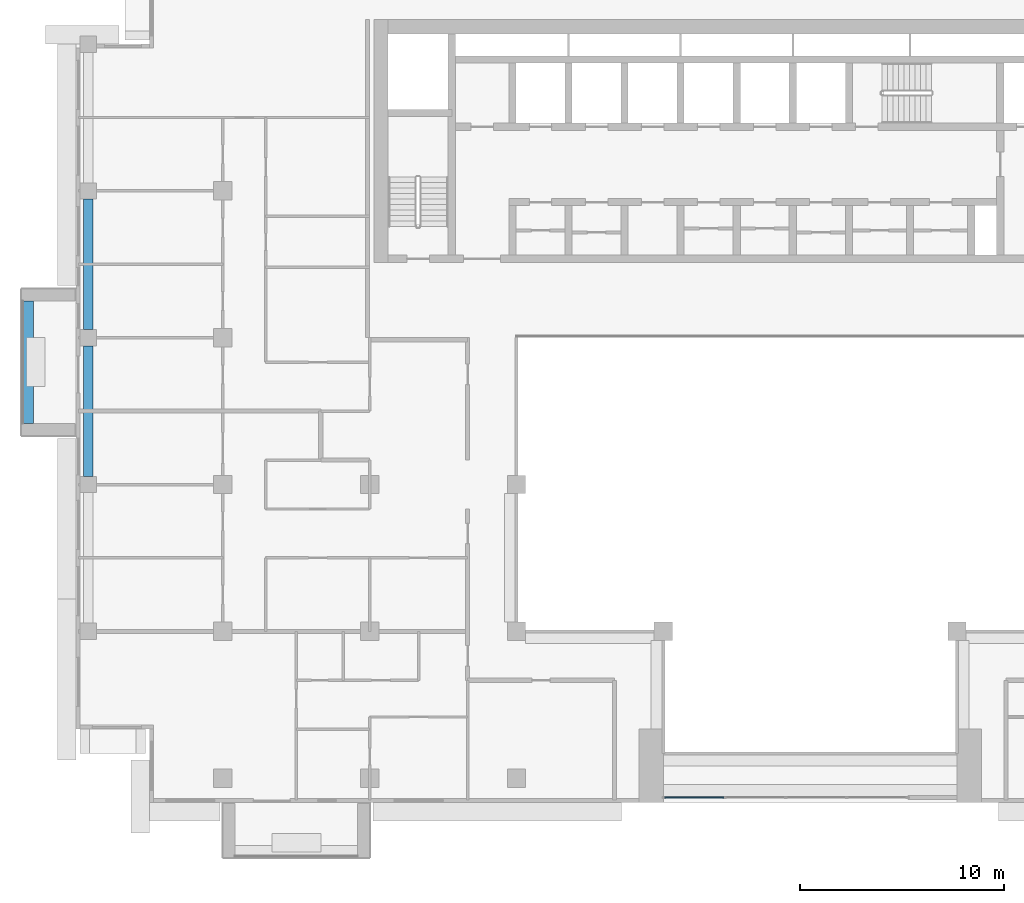
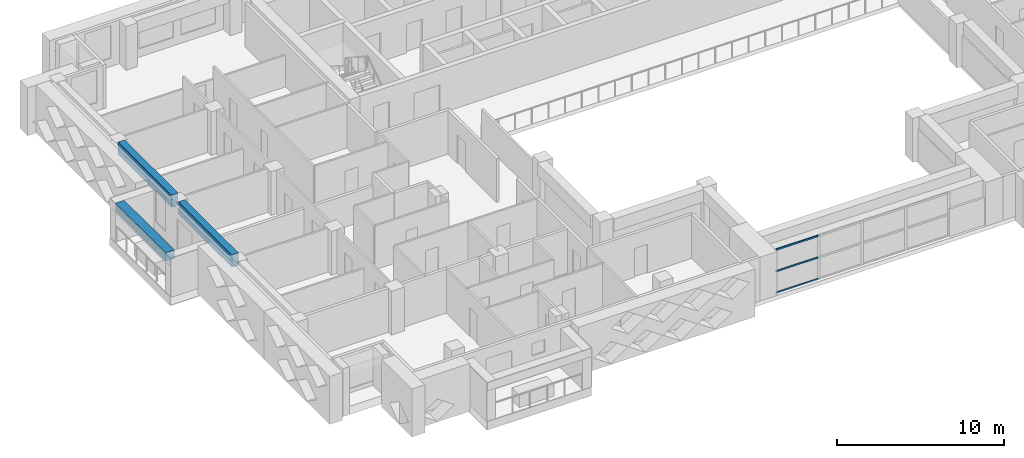
# One storey, part 3 of 20: 3 beams, 3 members, 1 element without a shape of its own.
"""IFC4 building model written with IfcOpenShell, lengths in metres."""

from ifc_helpers import new_model, si_unit, direction, frame, origin, origin_2d, place, context, subcontext, project, spatial, rectangle, extrude, source, transform, mapped, material, layer, layer_set, material_profile, profile_set, type_object, element, aggregate, save


model = new_model("IFC4")

# Units and contexts
model_context = context("Model", 3, precision=1e-05, world=origin(), true_north=direction((0.0, 1.0)))
body_context = subcontext(model_context, "Body", "Model", "MODEL_VIEW")
ifc_project = project(units=[si_unit("LENGTHUNIT", "METRE"), si_unit("AREAUNIT", "SQUARE_METRE"), si_unit("VOLUMEUNIT", "CUBIC_METRE"), si_unit("PLANEANGLEUNIT", "RADIAN"), si_unit("MASSUNIT", "GRAM", prefix="KILO")], contexts=[model_context])

# Site, building, storey
site_placement = place(None, origin())
site = spatial("IfcSite", under=ifc_project, at=site_placement, CompositionType="ELEMENT")
building_placement = place(site_placement, origin())
building = spatial("IfcBuilding", under=site, at=building_placement, Name="Saffron Iwan Residences", CompositionType="ELEMENT")
storey_placement = place(building_placement, frame((0.0, 0.0, 188.5)))
storey = spatial("IfcBuildingStorey", under=building, at=storey_placement, Name="L50", CompositionType="ELEMENT", Elevation=188.5)

# Beams
ifc_material_1 = material(Name="Concrete C50/60", Category="concrete")
ifc_material_profile_1 = material_profile(ifc_material_1, rectangle(XDim=0.449951171875, YDim=0.89990234375, at=origin_2d()), Name="RC 450x900")
ifc_profile_set_1 = profile_set([ifc_material_profile_1], Name="Concrete C50/60")
beam_type_1 = type_object("IfcBeamType", Name="SPANDREL BEAM RC 450x900 C50/60 TOP 3200", PredefinedType="SPANDREL", material=ifc_profile_set_1)
shared_shape_1 = source(origin(), body_context, "Body", "SweptSolid", [
    extrude(rectangle(XDim=0.449951171875, YDim=0.89990234375, at=origin_2d()), origin(), (0.0, 0.0, 1.0), 6.39990234375),
])
for number, where, z_axis, x_axis, name in (
    (1, (15.0, 55.60009765625, 2.75), (0.0, 1.0, 0.0), (-1.0, 0.0, 0.0), "Spandrel beam"),
    (2, (15.0, 62.800048828125, 2.75), (0.0, 1.0, 0.0), (-1.0, 0.0, 0.0), "Spandrel beam"),
):
    element("IfcBeam", number, at=place(storey_placement, frame(where, z_axis=z_axis, x_axis=x_axis)), inside=storey, type_object=beam_type_1, Name=name, PredefinedType="SPANDREL", context=body_context, shape_type="MappedRepresentation", body=[
        mapped(shared_shape_1, transform((0.0, 0.0, 0.0))),
    ])

# Curtain wall, members
ifc_material_2 = material(Name="Clear glass, laminated double glazed", Category="glass")
ifc_layer = layer(ifc_material_2, 0.199951171875)
ifc_layer_set = layer_set([ifc_layer], Name="Clear glass, laminated double glazed")
curtain_wall_type = type_object("IfcCurtainWallType", Name="CW-B IWAN PORTAL", PredefinedType="NOTDEFINED", material=ifc_layer_set)
curtain_wall_placement = place(storey_placement, origin())
curtain_wall = element("IfcCurtainWall", 3, at=curtain_wall_placement, inside=storey, type_object=curtain_wall_type, Name="Iwan portal glazing L50.1", PredefinedType="NOTDEFINED")
ifc_material_3 = material(Name="Aluminium 6063-T6", Category="aluminium")
ifc_material_profile_2 = material_profile(ifc_material_3, rectangle(XDim=0.06005859375, YDim=0.1201171875, at=origin_2d()), Name="CW-B TRANSOM 60 x 120")
ifc_profile_set_2 = profile_set([ifc_material_profile_2], Name="Aluminium 6063-T6")
member_type = type_object("IfcMemberType", Name="CW-B TRANSOM 60 x 120", PredefinedType="USERDEFINED", material=ifc_profile_set_2)
shared_shape_2 = source(origin(), body_context, "Body", "SweptSolid", [
    extrude(rectangle(XDim=0.06005859375, YDim=0.1201171875, at=origin_2d()), origin(), (0.0, 0.0, 1.0), 2.909912109375),
])
member_1_placement = place(storey_placement, frame((43.260009765625, 39.85009765625, 0.030029296875), z_axis=(1.0, 0.0, 0.0), x_axis=(0.0, 1.0, 0.0)))
member_1 = element("IfcMember", 4, at=member_1_placement, type_object=member_type, Name="CW-B transom 1.1", ObjectType="TRANSOM", PredefinedType="USERDEFINED", context=body_context, shape_type="MappedRepresentation", body=[
    mapped(shared_shape_2, transform((0.0, 0.0, 0.0))),
])
member_2_placement = place(storey_placement, frame((43.260009765625, 39.85009765625, 1.60009765625), z_axis=(1.0, 0.0, 0.0), x_axis=(0.0, 1.0, 0.0)))
member_2 = element("IfcMember", 5, at=member_2_placement, type_object=member_type, Name="CW-B transom 1.2", ObjectType="TRANSOM", PredefinedType="USERDEFINED", context=body_context, shape_type="MappedRepresentation", body=[
    mapped(shared_shape_2, transform((0.0, 0.0, 0.0))),
])
member_3_placement = place(storey_placement, frame((43.260009765625, 39.85009765625, 3.169921875), z_axis=(1.0, 0.0, 0.0), x_axis=(0.0, 1.0, 0.0)))
member_3 = element("IfcMember", 6, at=member_3_placement, type_object=member_type, Name="CW-B transom 1.3", ObjectType="TRANSOM", PredefinedType="USERDEFINED", context=body_context, shape_type="MappedRepresentation", body=[
    mapped(shared_shape_2, transform((0.0, 0.0, 0.0))),
])
aggregate(curtain_wall, [member_1, member_2, member_3])

# Beam
ifc_material_4 = material(Name="Concrete C50/60 white painted", Category="concrete")
ifc_material_profile_3 = material_profile(ifc_material_4, rectangle(XDim=0.60009765625, YDim=0.60009765625, at=origin_2d()), Name="BALCONY FASCIA BEAM 600 x 600")
ifc_profile_set_3 = profile_set([ifc_material_profile_3], Name="Concrete C50/60 white painted")
beam_type_2 = type_object("IfcBeamType", Name="BALCONY FASCIA BEAM 600 x 600", PredefinedType="BEAM", material=ifc_profile_set_3)
shared_shape_3 = source(origin(), body_context, "Body", "SweptSolid", [
    extrude(rectangle(XDim=0.60009765625, YDim=0.60009765625, at=origin_2d()), origin(), (0.0, 0.0, 1.0), 6.0),
])
beam_placement = place(storey_placement, frame((12.0, 64.199951171875, 2.550048828125), z_axis=(0.0, -1.0, 0.0), x_axis=(1.0, 0.0, 0.0)))
element("IfcBeam", 7, at=beam_placement, inside=storey, type_object=beam_type_2, Name="Balcony fascia beam L50 F8-0", PredefinedType="BEAM", context=body_context, shape_type="MappedRepresentation", body=[
    mapped(shared_shape_3, transform((0.0, 0.0, 0.0))),
])

save(model, "model.ifc")
